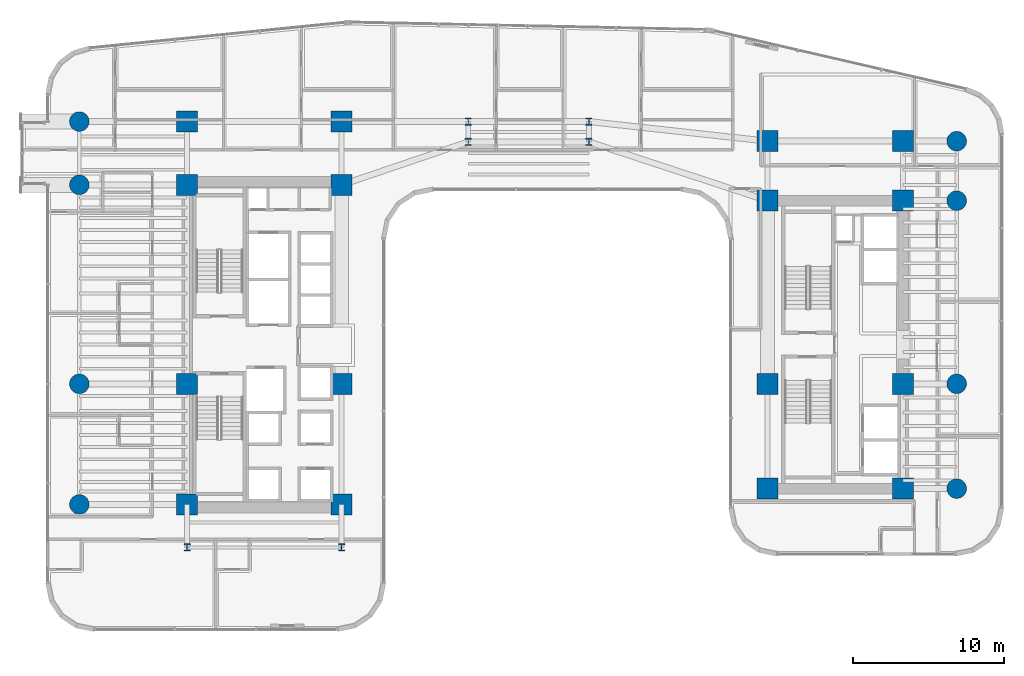
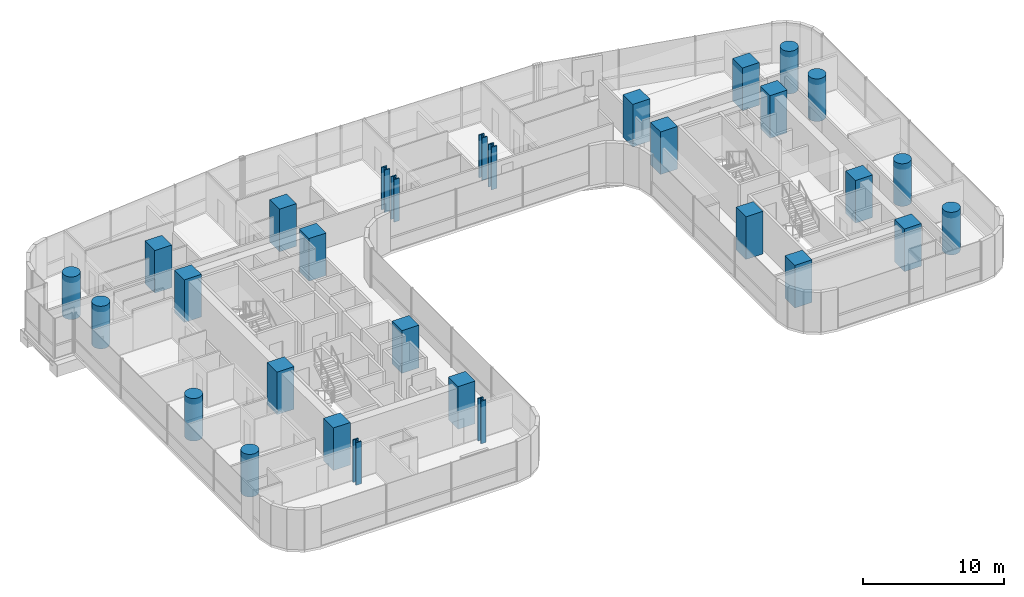
# One storey, part 1 of 42: 30 columns.
"""IFC4 building model written with IfcOpenShell, lengths in metres."""

from ifc_helpers import new_model, si_unit, direction, frame, origin, origin_2d, place, context, subcontext, project, spatial, rectangle, circle, i_section, extrude, source, transform, mapped, material, material_profile, profile_set, type_object, element, save


model = new_model("IFC4")

# Units and contexts
model_context = context("Model", 3, precision=1e-05, world=origin(), true_north=direction((0.0, 1.0)))
body_context = subcontext(model_context, "Body", "Model", "MODEL_VIEW")
ifc_project = project(units=[si_unit("LENGTHUNIT", "METRE"), si_unit("AREAUNIT", "SQUARE_METRE"), si_unit("VOLUMEUNIT", "CUBIC_METRE"), si_unit("PLANEANGLEUNIT", "RADIAN"), si_unit("MASSUNIT", "GRAM", prefix="KILO")], contexts=[model_context])

# Site, building, storey
site_placement = place(None, origin())
site = spatial("IfcSite", under=ifc_project, at=site_placement, CompositionType="ELEMENT")
building_placement = place(site_placement, origin())
building = spatial("IfcBuilding", under=site, at=building_placement, Name="Valdorenza Pilgrim Sanctuary Tower", CompositionType="ELEMENT")
storey_placement = place(building_placement, frame((0.0, 0.0, 55.60009765625)))
storey = spatial("IfcBuildingStorey", under=building, at=storey_placement, Name="L13", CompositionType="ELEMENT", Elevation=55.60009765625)

# Columns
ifc_material_1 = material(Name="Concrete C60/75", Category="concrete")
ifc_material_profile_1 = material_profile(ifc_material_1, circle(Radius=0.64990234375, at=origin_2d()), Name="RC D1300")
ifc_profile_set_1 = profile_set([ifc_material_profile_1], Name="Concrete C60/75")
column_type_1 = type_object("IfcColumnType", Name="COL-RND-1300", PredefinedType="COLUMN", material=ifc_profile_set_1)
shared_shape_1 = source(origin(), body_context, "Body", "SweptSolid", [
    extrude(circle(Radius=0.64990234375, at=origin_2d()), origin(), (0.0, 0.0, 1.0), 3.699951171875),
])
for number, where, z_axis, x_axis, name in (
    (1, (-29.800048828125, -10.60009765625, 0.0), (0.0, 0.0, 1.0), (1.0, 0.0, 0.0), "L13 Perimeter Column WA-W-S1"),
    (2, (-29.800048828125, -2.60009765625, 0.0), (0.0, 0.0, 1.0), (1.0, 0.0, 0.0), "L13 Perimeter Column WA-W-M0"),
    (3, (-29.800048828125, 10.60009765625, 0.0), (0.0, 0.0, 1.0), (1.0, 0.0, 0.0), "L13 Perimeter Column WA-W-N1"),
    (4, (-29.800048828125, 14.800048828125, 0.0), (0.0, 0.0, 1.0), (1.0, 0.0, 0.0), "L13 Perimeter Column WA-W-N2"),
    (5, (28.39990234375, -9.550048828125, 0.0), (0.0, 0.0, 1.0), (1.0, 0.0, 0.0), "L13 Perimeter Column WB-E-S1"),
    (6, (28.39990234375, -2.60009765625, 0.0), (0.0, 0.0, 1.0), (1.0, 0.0, 0.0), "L13 Perimeter Column WB-E-M0"),
    (7, (28.39990234375, 9.550048828125, 0.0), (0.0, 0.0, 1.0), (1.0, 0.0, 0.0), "L13 Perimeter Column WB-E-N1"),
    (8, (28.39990234375, 13.5, 0.0), (0.0, 0.0, 1.0), (1.0, 0.0, 0.0), "L13 Perimeter Column WB-E-N2"),
):
    element("IfcColumn", number, at=place(storey_placement, frame(where, z_axis=z_axis, x_axis=x_axis)), inside=storey, type_object=column_type_1, Name=name, PredefinedType="COLUMN", context=body_context, shape_type="MappedRepresentation", body=[
        mapped(shared_shape_1, transform((0.0, 0.0, 0.0), x_axis=(1.0, 0.0, 0.0), y_axis=(0.0, 1.0, 0.0), z_axis=(0.0, 0.0, 1.0), scale=1.0)),
    ])
ifc_material_profile_2 = material_profile(ifc_material_1, rectangle(XDim=1.39990234375, YDim=1.39990234375, at=origin_2d()), Name="RC 1400x1400")
ifc_profile_set_2 = profile_set([ifc_material_profile_2], Name="Concrete C60/75")
column_type_2 = type_object("IfcColumnType", Name="COL-Z1-1400", PredefinedType="COLUMN", material=ifc_profile_set_2)
shared_shape_2 = source(origin(), body_context, "Body", "SweptSolid", [
    extrude(rectangle(XDim=1.39990234375, YDim=1.39990234375, at=origin_2d()), origin(), (0.0, 0.0, 1.0), 3.699951171875),
])
for number, where, z_axis, x_axis, name in (
    (9, (-22.64990234375, -10.60009765625, 0.0), (0.0, 0.0, 1.0), (1.0, 0.0, 0.0), "L13 Column CA-W-S1"),
    (10, (-12.39990234375, -10.60009765625, 0.0), (0.0, 0.0, 1.0), (1.0, 0.0, 0.0), "L13 Column CA-E-S1"),
    (11, (-22.64990234375, -2.60009765625, 0.0), (0.0, 0.0, 1.0), (1.0, 0.0, 0.0), "L13 Column CA-W-M0"),
    (12, (-12.39990234375, -2.60009765625, 0.0), (0.0, 0.0, 1.0), (1.0, 0.0, 0.0), "L13 Column CA-E-M0"),
    (13, (-22.64990234375, 10.60009765625, 0.0), (0.0, 0.0, 1.0), (1.0, 0.0, 0.0), "L13 Column CA-W-N1"),
    (14, (-12.39990234375, 10.60009765625, 0.0), (0.0, 0.0, 1.0), (1.0, 0.0, 0.0), "L13 Column CA-E-N1"),
    (15, (-22.64990234375, 14.800048828125, 0.0), (0.0, 0.0, 1.0), (1.0, 0.0, 0.0), "L13 Column CA-W-N2"),
    (16, (-12.39990234375, 14.800048828125, 0.0), (0.0, 0.0, 1.0), (1.0, 0.0, 0.0), "L13 Column CA-E-N2"),
    (17, (15.85009765625, -9.550048828125, 0.0), (0.0, 0.0, 1.0), (1.0, 0.0, 0.0), "L13 Column CB-W-S1"),
    (18, (24.85009765625, -9.550048828125, 0.0), (0.0, 0.0, 1.0), (1.0, 0.0, 0.0), "L13 Column CB-E-S1"),
    (19, (15.85009765625, -2.60009765625, 0.0), (0.0, 0.0, 1.0), (1.0, 0.0, 0.0), "L13 Column CB-W-M0"),
    (20, (24.85009765625, -2.60009765625, 0.0), (0.0, 0.0, 1.0), (1.0, 0.0, 0.0), "L13 Column CB-E-M0"),
    (21, (15.85009765625, 9.550048828125, 0.0), (0.0, 0.0, 1.0), (1.0, 0.0, 0.0), "L13 Column CB-W-N1"),
    (22, (24.85009765625, 9.550048828125, 0.0), (0.0, 0.0, 1.0), (1.0, 0.0, 0.0), "L13 Column CB-E-N1"),
    (23, (15.85009765625, 13.5, 0.0), (0.0, 0.0, 1.0), (1.0, 0.0, 0.0), "L13 Column CB-W-N2"),
    (24, (24.85009765625, 13.5, 0.0), (0.0, 0.0, 1.0), (1.0, 0.0, 0.0), "L13 Column CB-E-N2"),
):
    element("IfcColumn", number, at=place(storey_placement, frame(where, z_axis=z_axis, x_axis=x_axis)), inside=storey, type_object=column_type_2, Name=name, PredefinedType="COLUMN", context=body_context, shape_type="MappedRepresentation", body=[
        mapped(shared_shape_2, transform((0.0, 0.0, 0.0), x_axis=(1.0, 0.0, 0.0), y_axis=(0.0, 1.0, 0.0), z_axis=(0.0, 0.0, 1.0), scale=1.0)),
    ])
ifc_material_2 = material(Name="Steel ASTM A992 Grade 50", Category="steel")
ifc_material_profile_3 = material_profile(ifc_material_2, i_section(OverallWidth=0.431884765625, OverallDepth=0.498046875, WebThickness=0.0556640625, FlangeThickness=0.0888671875, at=origin_2d()), Name="W14X500")
ifc_profile_set_3 = profile_set([ifc_material_profile_3], Name="Steel ASTM A992 Grade 50")
column_type_3 = type_object("IfcColumnType", Name="COL-STL-W500", PredefinedType="COLUMN", material=ifc_profile_set_3)
shared_shape_3 = source(origin(), body_context, "Body", "SweptSolid", [
    extrude(i_section(OverallWidth=0.431884765625, OverallDepth=0.498046875, WebThickness=0.0556640625, FlangeThickness=0.0888671875, at=origin_2d()), origin(), (0.0, 0.0, 1.0), 3.699951171875),
])
for number, where, z_axis, x_axis, name in (
    (25, (-22.64990234375, -13.449951171875, 0.0), (0.0, 0.0, 1.0), (1.0, 0.0, 0.0), "L13 Column WA-S-W"),
    (26, (-12.39990234375, -13.449951171875, 0.0), (0.0, 0.0, 1.0), (1.0, 0.0, 0.0), "L13 Column WA-S-E"),
    (27, (-4.0, 13.449951171875, 0.0), (0.0, 0.0, 1.0), (1.0, 0.0, 0.0), "L13 Column KNK-W1"),
    (28, (-4.0, 14.800048828125, 0.0), (0.0, 0.0, 1.0), (1.0, 0.0, 0.0), "L13 Column KNK-W2"),
    (29, (4.0, 13.449951171875, 0.0), (0.0, 0.0, 1.0), (1.0, 0.0, 0.0), "L13 Column KNK-E1"),
    (30, (4.0, 14.800048828125, 0.0), (0.0, 0.0, 1.0), (1.0, 0.0, 0.0), "L13 Column KNK-E2"),
):
    element("IfcColumn", number, at=place(storey_placement, frame(where, z_axis=z_axis, x_axis=x_axis)), inside=storey, type_object=column_type_3, Name=name, PredefinedType="COLUMN", context=body_context, shape_type="MappedRepresentation", body=[
        mapped(shared_shape_3, transform((0.0, 0.0, 0.0), x_axis=(1.0, 0.0, 0.0), y_axis=(0.0, 1.0, 0.0), z_axis=(0.0, 0.0, 1.0), scale=1.0)),
    ])

save(model, "model.ifc")
